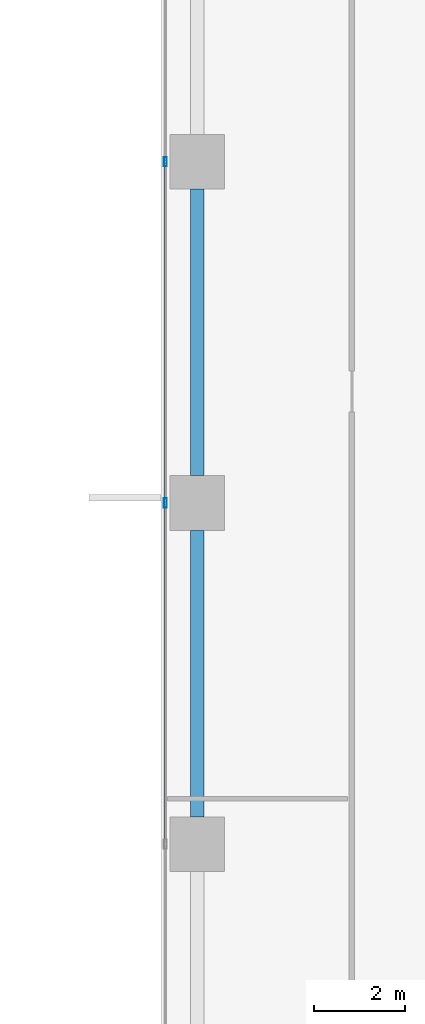
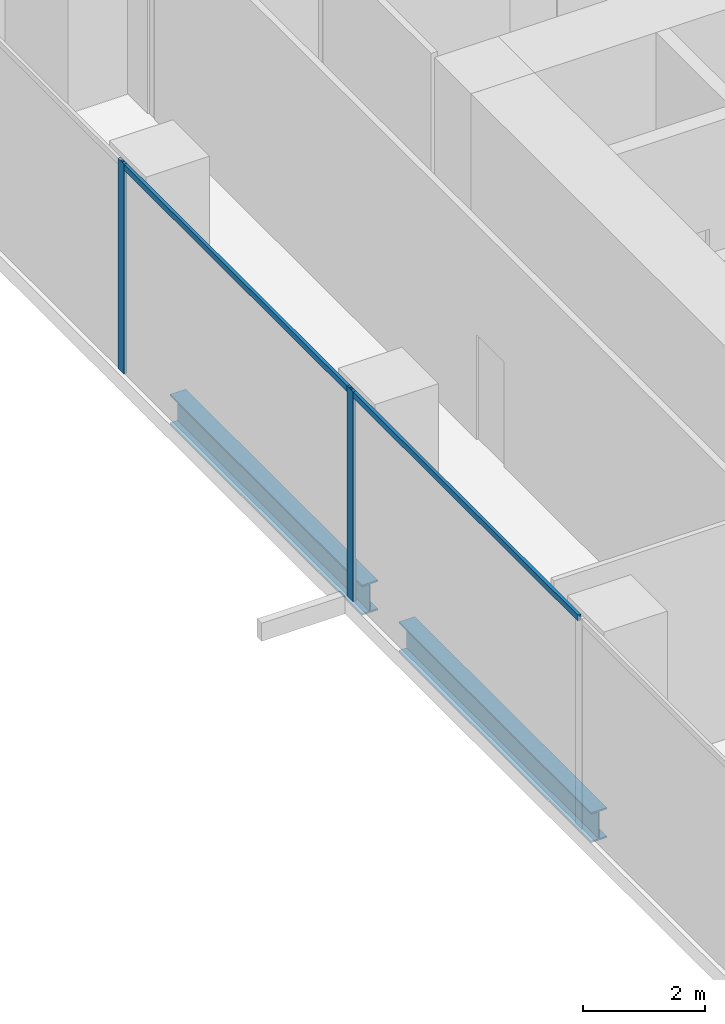
# One storey, part 12 of 33: 4 members, 2 beams, 1 element without a shape of its own.
"""IFC4 building model written with IfcOpenShell, lengths in metres."""

from ifc_helpers import new_model, si_unit, direction, frame, origin, origin_2d, place, context, subcontext, project, spatial, hollow_rectangle, i_section, extrude, source, transform, mapped, material, material_profile, profile_set, type_object, element, aggregate, save


model = new_model("IFC4")

# Units and contexts
model_context = context("Model", 3, precision=1e-05, world=origin(), true_north=direction((0.0, 1.0)))
body_context = subcontext(model_context, "Body", "Model", "MODEL_VIEW")
ifc_project = project(units=[si_unit("LENGTHUNIT", "METRE"), si_unit("AREAUNIT", "SQUARE_METRE"), si_unit("VOLUMEUNIT", "CUBIC_METRE"), si_unit("PLANEANGLEUNIT", "RADIAN"), si_unit("MASSUNIT", "GRAM", prefix="KILO")], contexts=[model_context])

# Site, building, storey
site_placement = place(None, origin())
site = spatial("IfcSite", under=ifc_project, at=site_placement, CompositionType="ELEMENT")
building_placement = place(site_placement, origin())
building = spatial("IfcBuilding", under=site, at=building_placement, Name="Khomas Fold Tower", CompositionType="ELEMENT")
storey_placement = place(building_placement, frame((0.0, 0.0, 82.5)))
storey = spatial("IfcBuildingStorey", under=building, at=storey_placement, Name="L17", CompositionType="ELEMENT", Elevation=82.5)

# Beams
ifc_material_1 = material(Name="Steel S355", Category="steel")
ifc_material_profile_1 = material_profile(ifc_material_1, i_section(OverallWidth=0.300048828125, OverallDepth=0.60009765625, WebThickness=0.015380859375, FlangeThickness=0.030029296875, at=origin_2d()), Name="HE 600 B")
ifc_profile_set_1 = profile_set([ifc_material_profile_1], Name="Steel S355")
beam_type = type_object("IfcBeamType", Name="HE 600 B spandrel SB1", PredefinedType="SPANDREL", material=ifc_profile_set_1)
shared_shape_1 = source(origin(), body_context, "Body", "SweptSolid", [
    extrude(i_section(OverallWidth=0.300048828125, OverallDepth=0.60009765625, WebThickness=0.015380859375, FlangeThickness=0.030029296875, at=origin_2d()), origin(), (0.0, 0.0, 1.0), 6.2998046875),
])
for number, where, z_axis, x_axis, name in (
    (1, (0.800048828125, 35.10009765625, -0.60009765625), (0.0, 1.0, 0.0), (-1.0, 0.0, 0.0), "SB1"),
    (2, (0.800048828125, 27.60009765625, -0.60009765625), (0.0, 1.0, 0.0), (-1.0, 0.0, 0.0), "SB1"),
):
    element("IfcBeam", number, at=place(storey_placement, frame(where, z_axis=z_axis, x_axis=x_axis)), inside=storey, type_object=beam_type, Name=name, PredefinedType="SPANDREL", context=body_context, shape_type="MappedRepresentation", body=[
        mapped(shared_shape_1, transform((0.0, 0.0, 0.0))),
    ])

# Curtain wall, members
ifc_material_2 = material(Name="Aluminium framed double glazing", Category="aluminium")
curtain_wall_type = type_object("IfcCurtainWallType", Name="SK-Unitised clear-glass wall, growing floors CW1", PredefinedType="NOTDEFINED", material=ifc_material_2)
curtain_wall_placement = place(storey_placement, origin())
curtain_wall = element("IfcCurtainWall", 3, at=curtain_wall_placement, inside=storey, type_object=curtain_wall_type, Name="CW1 run L17 09-0", PredefinedType="NOTDEFINED")
ifc_material_3 = material(Name="Aluminium", Category="aluminium")
ifc_material_profile_2 = material_profile(ifc_material_3, hollow_rectangle(XDim=0.06005859375, YDim=0.1201171875, WallThickness=0.00390625, at=origin_2d()), Name="SK-Unitised clear-glass wall, growing floors transom CW1-T")
ifc_profile_set_2 = profile_set([ifc_material_profile_2], Name="Aluminium")
member_type_1 = type_object("IfcMemberType", Name="SK-Unitised clear-glass wall, growing floors transom CW1-T", PredefinedType="USERDEFINED", material=ifc_profile_set_2)
shared_shape_2 = source(origin(), body_context, "Body", "SweptSolid", [
    extrude(hollow_rectangle(XDim=0.06005859375, YDim=0.1201171875, WallThickness=0.00390625, at=origin_2d()), origin(), (0.0, 0.0, 1.0), 7.43994140625),
])
member_1_placement = place(storey_placement, frame((0.10009765625, 41.969970703125, 4.139892578125), z_axis=(0.0, -1.0, 0.0), x_axis=(1.0, 0.0, 0.0)))
member_1 = element("IfcMember", 4, at=member_1_placement, type_object=member_type_1, Name="CW1 transom 3", ObjectType="TRANSOM", PredefinedType="USERDEFINED", context=body_context, shape_type="MappedRepresentation", body=[
    mapped(shared_shape_2, transform((0.0, 0.0, 0.0))),
])
member_2_placement = place(storey_placement, frame((0.10009765625, 34.469970703125, 4.139892578125), z_axis=(0.0, -1.0, 0.0), x_axis=(1.0, 0.0, 0.0)))
member_2 = element("IfcMember", 5, at=member_2_placement, type_object=member_type_1, Name="CW1 transom 4", ObjectType="TRANSOM", PredefinedType="USERDEFINED", context=body_context, shape_type="MappedRepresentation", body=[
    mapped(shared_shape_2, transform((0.0, 0.0, 0.0))),
])
ifc_material_4 = material(Name="Aluminium", Category="aluminium")
ifc_material_profile_3 = material_profile(ifc_material_4, hollow_rectangle(XDim=0.06005859375, YDim=0.199951171875, WallThickness=0.00390625, at=origin_2d()), Name="SK-Unitised clear-glass wall, growing floors mullion CW1-M")
ifc_profile_set_3 = profile_set([ifc_material_profile_3], Name="Aluminium")
member_type_2 = type_object("IfcMemberType", Name="SK-Unitised clear-glass wall, growing floors mullion CW1-M", PredefinedType="MULLION", material=ifc_profile_set_3)
shared_shape_3 = source(origin(), body_context, "Body", "SweptSolid", [
    extrude(hollow_rectangle(XDim=0.06005859375, YDim=0.199951171875, WallThickness=0.00390625, at=origin_2d()), origin(), (0.0, 0.0, 1.0), 4.199951171875),
])
member_3_placement = place(storey_placement, frame((0.10009765625, 42.0, 0.0), z_axis=(0.0, 0.0, 1.0), x_axis=(1.0, 0.0, 0.0)))
member_3 = element("IfcMember", 6, at=member_3_placement, type_object=member_type_2, Name="CW1 mullion 3", PredefinedType="MULLION", context=body_context, shape_type="MappedRepresentation", body=[
    mapped(shared_shape_3, transform((0.0, 0.0, 0.0))),
])
member_4_placement = place(storey_placement, frame((0.10009765625, 34.5, 0.0), z_axis=(0.0, 0.0, 1.0), x_axis=(1.0, 0.0, 0.0)))
member_4 = element("IfcMember", 7, at=member_4_placement, type_object=member_type_2, Name="CW1 mullion 4", PredefinedType="MULLION", context=body_context, shape_type="MappedRepresentation", body=[
    mapped(shared_shape_3, transform((0.0, 0.0, 0.0))),
])
aggregate(curtain_wall, [member_3, member_4, member_1, member_2])

save(model, "model.ifc")
